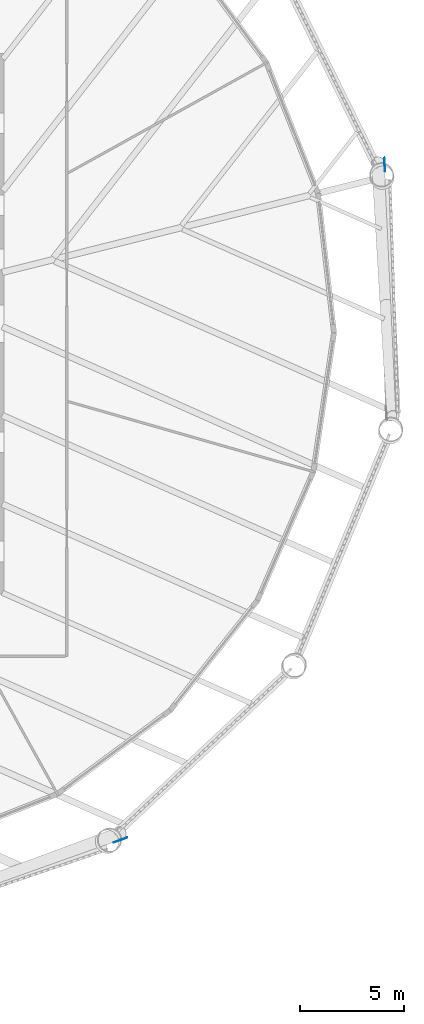
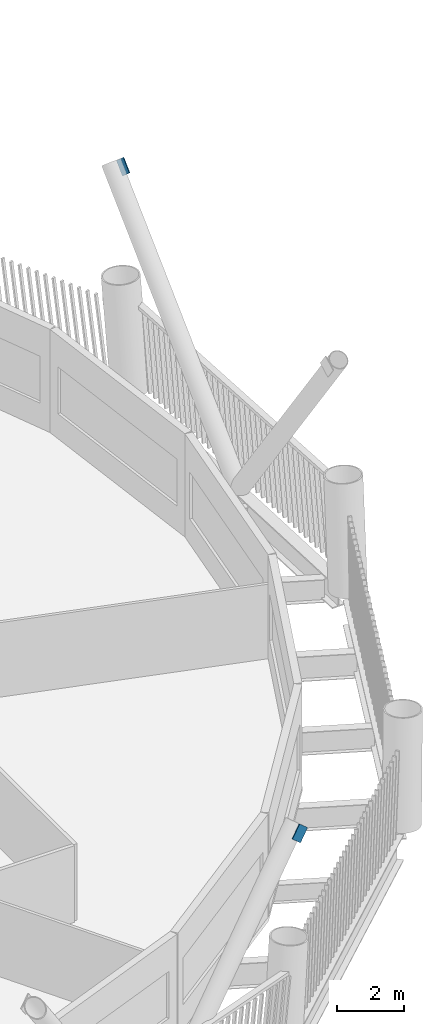
# One storey, part 10 of 22: 2 discrete accessories.
"""IFC4 building model written with IfcOpenShell, lengths in metres."""

from ifc_helpers import new_model, si_unit, direction, frame, origin, origin_2d, place, context, subcontext, project, spatial, rectangle, extrude, material, material_profile, profile_set, type_object, element, save


model = new_model("IFC4")

# Units and contexts
model_context = context("Model", 3, precision=1e-05, world=origin(), true_north=direction((0.0, 1.0)))
body_context = subcontext(model_context, "Body", "Model", "MODEL_VIEW")
ifc_project = project(units=[si_unit("LENGTHUNIT", "METRE"), si_unit("AREAUNIT", "SQUARE_METRE"), si_unit("VOLUMEUNIT", "CUBIC_METRE"), si_unit("PLANEANGLEUNIT", "RADIAN"), si_unit("MASSUNIT", "GRAM", prefix="KILO")], contexts=[model_context])

# Site, building, storey
site_placement = place(None, origin())
site = spatial("IfcSite", under=ifc_project, at=site_placement, CompositionType="ELEMENT")
building_placement = place(site_placement, origin())
building = spatial("IfcBuilding", under=site, at=building_placement, Name="Tarsis Ring Headquarters", CompositionType="ELEMENT")
storey_placement = place(building_placement, frame((0.0, 0.0, 116.199951171875)))
storey = spatial("IfcBuildingStorey", under=building, at=storey_placement, Name="L26", CompositionType="ELEMENT", Elevation=116.199951171875)

# Discrete accessories
ifc_material = material(Name="Structural steel S355", Category="steel")
ifc_material_profile = material_profile(ifc_material, rectangle(XDim=0.02490234375, YDim=0.5, at=origin_2d()), Name="PL 25x500")
ifc_profile_set = profile_set([ifc_material_profile], Name="Structural steel S355")
discrete_accessory_type = type_object("IfcDiscreteAccessoryType", Name="Gusset plate Exo brace 25", PredefinedType="BRACKET", material=ifc_profile_set)
for number, where, z_axis, x_axis, name in (
    (1, (15.7490234375, -24.777099609375, 7.800048828125), (-0.621491502844, -0.229946973951, -0.748914348282), (0.34700240157, -0.937864240338, 0.0), "Gusset plate GP5"),
    (2, (28.295166015625, 7.830322265625, 7.800048828125), (0.038569078761, -0.661532933171, -0.748923630615), (0.998304725107, 0.058203744121, 0.0), "Gusset plate GP5"),
):
    element("IfcDiscreteAccessory", number, at=place(storey_placement, frame(where, z_axis=z_axis, x_axis=x_axis)), inside=storey, type_object=discrete_accessory_type, Name=name, PredefinedType="BRACKET", context=body_context, shape_type="SweptSolid", body=[
        extrude(rectangle(XDim=0.02490234375, YDim=0.5, at=origin_2d()), origin(), (0.0, 0.0, 1.0), 0.5),
    ])

save(model, "model.ifc")
